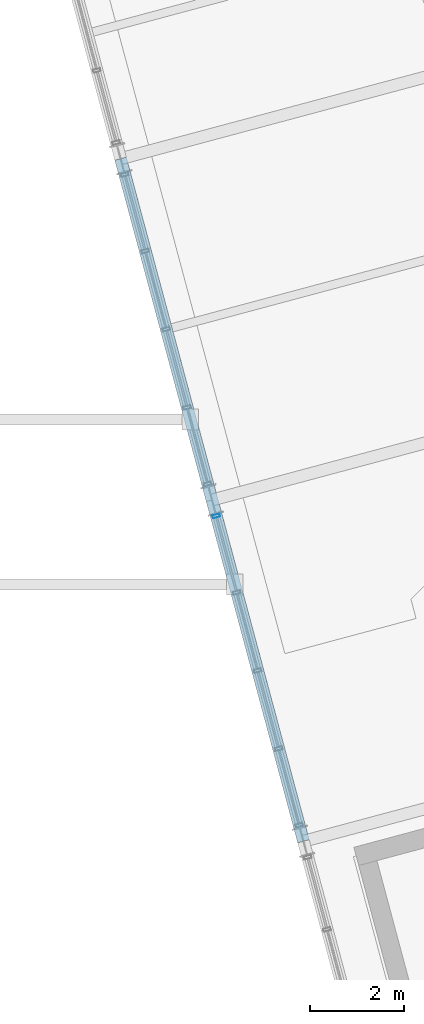
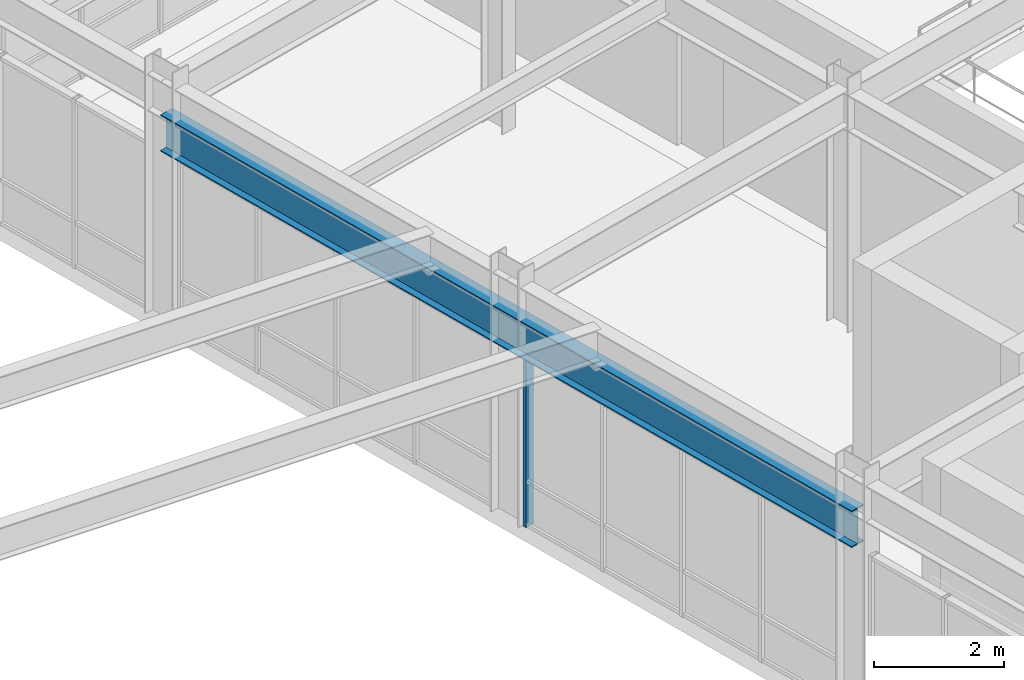
# One storey, part 34 of 104: 1 beam, 1 member, 1 element without a shape of its own.
"""IFC4 building model written with IfcOpenShell, lengths in metres."""

import ifcopenshell
import ifcopenshell.guid

model = None  # the IFC model being written
_history = None  # IfcOwnerHistory: only IFC2X3 demands one
_inside = {}  # id of a spatial element -> (the spatial element, [elements in it])
_under = {}  # id of a project, library or spatial element -> (it, [spatial elements below it])
_declared = {}  # id of a project -> (the project, [libraries it declares])
_typed = {}  # id of a type object -> (the type object, [elements of that type])
_made_of = {}  # id of a material, layer set ... -> (it, [elements and type objects made of it])


def new_model(schema):
    """Start an empty IFC model of exactly this schema.

    Asked for "IFC4X3", IfcOpenShell would pick the latest addendum, in which some entities
    have other attributes; the version numbers below select the first issue.
    IFC2X3 requires an IfcOwnerHistory on every rooted entity: one is made here for all.
    """
    global model, _history
    if schema == "IFC4X3":
        model = ifcopenshell.file(schema_version=(4, 3, 0, 0))
    else:
        model = ifcopenshell.file(schema=schema)
    _inside.clear()
    _under.clear()
    _declared.clear()
    _typed.clear()
    _made_of.clear()
    _history = None
    if model.schema == "IFC2X3":
        org = make("IfcOrganization", Name="unknown")
        user = make(
            "IfcPersonAndOrganization",
            ThePerson=make("IfcPerson", FamilyName="unknown"),
            TheOrganization=org,
        )
        app = make(
            "IfcApplication",
            ApplicationDeveloper=org,
            Version="unknown",
            ApplicationFullName="unknown",
            ApplicationIdentifier="unknown",
        )
        _history = make(
            "IfcOwnerHistory",
            OwningUser=user,
            OwningApplication=app,
            ChangeAction="ADDED",
            CreationDate=0,
        )
    return model


def make(cls, **values):
    """One entity of the class cls with the attributes given. An attribute that is None is left unset."""
    return model.create_entity(
        cls, **{name: value for name, value in values.items() if value is not None}
    )


def rooted(cls, **values):
    """An entity with a GlobalId (a new one), such as an element, a storey or a relation."""
    return make(cls, GlobalId=ifcopenshell.guid.new(), OwnerHistory=_history, **values)


def si_unit(unit_type, name, prefix=None):
    """IfcSIUnit, for example si_unit("LENGTHUNIT", "METRE", prefix="MILLI")."""
    return make("IfcSIUnit", UnitType=unit_type, Prefix=prefix, Name=name)


def assignment(units):
    """IfcUnitAssignment: the units of a project."""
    return None if units is None else make("IfcUnitAssignment", Units=units)


def point(xyz):
    """IfcCartesianPoint."""
    return None if xyz is None else make("IfcCartesianPoint", Coordinates=xyz)


def direction(xyz):
    """IfcDirection."""
    return None if xyz is None else make("IfcDirection", DirectionRatios=xyz)


def frame(location, z_axis=None, x_axis=None):
    """IfcAxis2Placement3D, a coordinate frame: its origin and axes. An axis left out is left unset."""
    return make(
        "IfcAxis2Placement3D",
        Location=point(location),
        Axis=direction(z_axis),
        RefDirection=direction(x_axis),
    )


def frame_2d(location, x_axis=None):
    """IfcAxis2Placement2D, a coordinate frame in the plane: its origin and x axis."""
    return make(
        "IfcAxis2Placement2D", Location=point(location), RefDirection=direction(x_axis)
    )


def origin():
    """The frame at (0, 0, 0) with its axes left unset."""
    return frame((0.0, 0.0, 0.0))


def origin_2d():
    """The frame at (0, 0) in the plane with its x axis left unset."""
    return frame_2d((0.0, 0.0))


def place(relative_to, where):
    """IfcLocalPlacement: puts the frame where relative to a parent placement (None: the world)."""
    return make(
        "IfcLocalPlacement", PlacementRelTo=relative_to, RelativePlacement=where
    )


def context(
    kind, dimensions, precision=None, world=None, true_north=None, identifier=None
):
    """IfcGeometricRepresentationContext, for example the 3D "Model" context."""
    return make(
        "IfcGeometricRepresentationContext",
        ContextIdentifier=identifier,
        ContextType=kind,
        CoordinateSpaceDimension=dimensions,
        Precision=precision,
        WorldCoordinateSystem=world,
        TrueNorth=true_north,
    )


def subcontext(parent, identifier, kind, view, scale=None):
    """IfcGeometricRepresentationSubContext, for example "Body" below "Model"."""
    return make(
        "IfcGeometricRepresentationSubContext",
        ContextIdentifier=identifier,
        ContextType=kind,
        ParentContext=parent,
        TargetScale=scale,
        TargetView=view,
    )


def project(units=None, contexts=None):
    """IfcProject with its units and contexts."""
    return rooted(
        "IfcProject",
        Name="project",
        RepresentationContexts=contexts,
        UnitsInContext=assignment(units),
    )


def spatial(cls, under=None, at=None, **own):
    """A site, building, storey or space (cls), placed at a placement, below another one or the project."""
    s = rooted(cls, ObjectPlacement=at, **own)
    if under is not None:
        _under.setdefault(under.id(), (under, []))[1].append(s)
    return s


def profile(cls, at=None, kind="AREA", **sizes):
    """A parametric profile (cls). Its sizes go by their IFC names, for example OverallWidth=200.0."""
    return make(cls, ProfileType=kind, Position=at, **sizes)


def hollow_rectangle(**sizes):
    """IfcRectangleHollowProfileDef."""
    return profile("IfcRectangleHollowProfileDef", **sizes)


def i_section(**sizes):
    """IfcIShapeProfileDef."""
    return profile("IfcIShapeProfileDef", **sizes)


def extrude(swept, where, along, depth):
    """IfcExtrudedAreaSolid: the profile swept, set in the frame where, extruded along a direction by depth."""
    return make(
        "IfcExtrudedAreaSolid",
        SweptArea=swept,
        Position=where,
        ExtrudedDirection=direction(along),
        Depth=depth,
    )


def shape(context_of_items, identifier, shape_type, items):
    """IfcShapeRepresentation: the items that make up one representation, for example the "Body"."""
    return make(
        "IfcShapeRepresentation",
        ContextOfItems=context_of_items,
        RepresentationIdentifier=identifier,
        RepresentationType=shape_type,
        Items=items,
    )


def material(Name=None, Category=None):
    """IfcMaterial."""
    return make("IfcMaterial", Name=Name, Category=Category)


def layer(
    of_material, thickness, ventilated=None, Name=None, Category=None, Priority=None
):
    """IfcMaterialLayer: one layer of a wall or slab, of a material (None: an air gap)."""
    return make(
        "IfcMaterialLayer",
        Material=of_material,
        LayerThickness=thickness,
        IsVentilated=ventilated,
        Name=Name,
        Category=Category,
        Priority=Priority,
    )


def layer_set(layers, Name=None):
    """IfcMaterialLayerSet."""
    return make("IfcMaterialLayerSet", MaterialLayers=layers, LayerSetName=Name)


def material_profile(
    of_material, cross_section, Name=None, Category=None, Priority=None
):
    """IfcMaterialProfile: a cross section and its material."""
    return make(
        "IfcMaterialProfile",
        Name=Name,
        Material=of_material,
        Profile=cross_section,
        Priority=Priority,
        Category=Category,
    )


def profile_set(profiles, Name=None, composite=None):
    """IfcMaterialProfileSet."""
    return make(
        "IfcMaterialProfileSet",
        Name=Name,
        MaterialProfiles=profiles,
        CompositeProfile=composite,
    )


def made_of(thing, what):
    """Note that an element or type object is made of a material, layer set ...; save() writes the relation."""
    if what is not None:
        _made_of.setdefault(what.id(), (what, []))[1].append(thing)
    return thing


def type_object(cls, material=None, **own):
    """A type object (cls), such as IfcWallType, which elements share."""
    return made_of(rooted(cls, **own), material)


def element(
    cls,
    number,
    at=None,
    inside=None,
    cuts=None,
    type_object=None,
    material=None,
    context=None,
    identifier="Body",
    shape_type=None,
    held_by="IfcProductDefinitionShape",
    body=None,
    shapes=None,
    **own,
):
    """One element of the class cls, such as IfcWall. Its Tag is "e" and its number.

    at: its placement. inside: the storey or other place that contains it. cuts: it is an
    opening in that element (IfcRelVoidsElement). A single representation is given by context,
    identifier, shape_type and body (its items); several are given by shapes. held_by: the class
    of the entity that holds the representations. save() writes the other relations.
    """
    e = rooted(cls, Tag="e%d" % number, ObjectPlacement=at, **own)
    if body is not None:
        shapes = [shape(context, identifier, shape_type, body)]
    if shapes is not None:
        e.Representation = make(held_by, Representations=shapes)
    if inside is not None:
        _inside.setdefault(inside.id(), (inside, []))[1].append(e)
    if cuts is not None:
        rooted(
            "IfcRelVoidsElement", RelatingBuildingElement=cuts, RelatedOpeningElement=e
        )
    if type_object is not None:
        _typed.setdefault(type_object.id(), (type_object, []))[1].append(e)
    return made_of(e, material)


def aggregate(whole, parts):
    """IfcRelAggregates: a whole, such as a stair, and the parts it consists of."""
    return rooted("IfcRelAggregates", RelatingObject=whole, RelatedObjects=parts)


def save(model, path):
    """Write the relations noted so far, then the file.

    IfcRelAggregates (storeys below a building ...), IfcRelContainedInSpatialStructure (elements
    in a storey), IfcRelDefinesByType, IfcRelAssociatesMaterial and IfcRelDeclares: one each for
    every whole, place, type object, material and project.
    """
    for whole, parts in _under.values():
        aggregate(whole, parts)
    for where, things in _inside.values():
        rooted(
            "IfcRelContainedInSpatialStructure",
            RelatedElements=things,
            RelatingStructure=where,
        )
    for kind, things in _typed.values():
        rooted("IfcRelDefinesByType", RelatedObjects=things, RelatingType=kind)
    for what, things in _made_of.values():
        rooted("IfcRelAssociatesMaterial", RelatedObjects=things, RelatingMaterial=what)
    for by, libraries in _declared.values():
        rooted("IfcRelDeclares", RelatingContext=by, RelatedDefinitions=libraries)
    model.write(path)


model = new_model("IFC4")

# Units and contexts
model_context = context("Model", 3, precision=1e-05, world=origin(), true_north=direction((0.0, 1.0)))
body_context = subcontext(model_context, "Body", "Model", "MODEL_VIEW")
ifc_project = project(units=[si_unit("LENGTHUNIT", "METRE"), si_unit("AREAUNIT", "SQUARE_METRE"), si_unit("VOLUMEUNIT", "CUBIC_METRE"), si_unit("PLANEANGLEUNIT", "RADIAN"), si_unit("MASSUNIT", "GRAM", prefix="KILO")], contexts=[model_context])

# Site, building, storey
site_placement = place(None, origin())
site = spatial("IfcSite", under=ifc_project, at=site_placement, CompositionType="ELEMENT")
building_placement = place(site_placement, origin())
building = spatial("IfcBuilding", under=site, at=building_placement, Name="Ventoquebrada Cableway Terminal", CompositionType="ELEMENT")
storey_placement = place(building_placement, frame((0.0, 0.0, 4.800048828125)))
storey = spatial("IfcBuildingStorey", under=building, at=storey_placement, Name="L01", CompositionType="ELEMENT", Elevation=4.800048828125)

# Beam
ifc_material_1 = material(Name="Steel ASTM A992 Grade 50", Category="steel")
ifc_material_profile_1 = material_profile(ifc_material_1, i_section(OverallWidth=0.25390625, OverallDepth=0.68798828125, WebThickness=0.01318359375, FlangeThickness=0.02099609375, at=origin_2d()), Name="W27X102")
ifc_profile_set_1 = profile_set([ifc_material_profile_1], Name="Steel ASTM A992 Grade 50")
beam_type = type_object("IfcBeamType", Name="BM-ST04", PredefinedType="BEAM", material=ifc_profile_set_1)
beam_placement = place(storey_placement, frame((50.553955078125, 75.096923828125, 3.509033203125), z_axis=(-0.258788966214, 0.965933885401, 0.0), x_axis=(-0.965933885401, -0.258788966214, 0.0)))
element("IfcBeam", 1, at=beam_placement, inside=storey, type_object=beam_type, Name="Bridge support girder LP-2 FBM-1108", PredefinedType="BEAM", context=body_context, shape_type="SweptSolid", body=[
    extrude(i_section(OverallWidth=0.25390625, OverallDepth=0.68798828125, WebThickness=0.01318359375, FlangeThickness=0.02099609375, at=origin_2d()), origin(), (0.0, 0.0, 1.0), 15.0),
])

# Curtain wall, member
ifc_material_2 = material(Name="Anodized thermally-broken aluminium", Category="aluminium")
ifc_layer = layer(ifc_material_2, 0.159912109375)
ifc_layer_set = layer_set([ifc_layer], Name="Anodized thermally-broken aluminium")
curtain_wall_type = type_object("IfcCurtainWallType", Name="CW-T39", PredefinedType="USERDEFINED", material=ifc_layer_set)
curtain_wall_placement = place(storey_placement, origin())
curtain_wall = element("IfcCurtainWall", 2, at=curtain_wall_placement, inside=storey, type_object=curtain_wall_type, Name="Unitised glazed curtain wall CW-094", ObjectType="UNITISED CURTAIN WALL", PredefinedType="USERDEFINED")
ifc_material_profile_2 = material_profile(ifc_material_2, hollow_rectangle(XDim=0.06494140625, YDim=0.159912109375, WallThickness=0.00390625, at=origin_2d()), Name="CW-MUL-65X160")
ifc_profile_set_2 = profile_set([ifc_material_profile_2], Name="Anodized thermally-broken aluminium")
member_type = type_object("IfcMemberType", Name="CWM-01", PredefinedType="MULLION", material=ifc_profile_set_2)
member_placement = place(storey_placement, frame((48.7041015625, 82.001953125, -0.008056640625), z_axis=(0.0, 0.0, 1.0), x_axis=(0.258734751187, -0.965948408834, 0.0)))
member = element("IfcMember", 3, at=member_placement, type_object=member_type, Name="Curtain wall mullion FML-0458", PredefinedType="MULLION", context=body_context, shape_type="SweptSolid", body=[
    extrude(hollow_rectangle(XDim=0.06494140625, YDim=0.159912109375, WallThickness=0.00390625, at=origin_2d()), origin(), (0.0, 0.0, 1.0), 3.173095703125),
])
aggregate(curtain_wall, [member])

save(model, "model.ifc")
